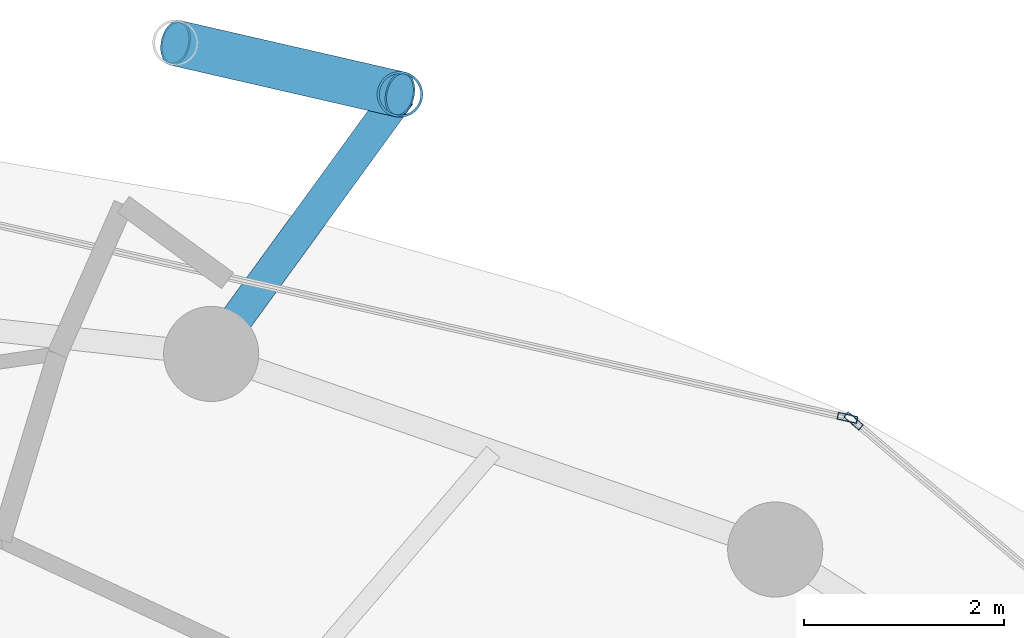
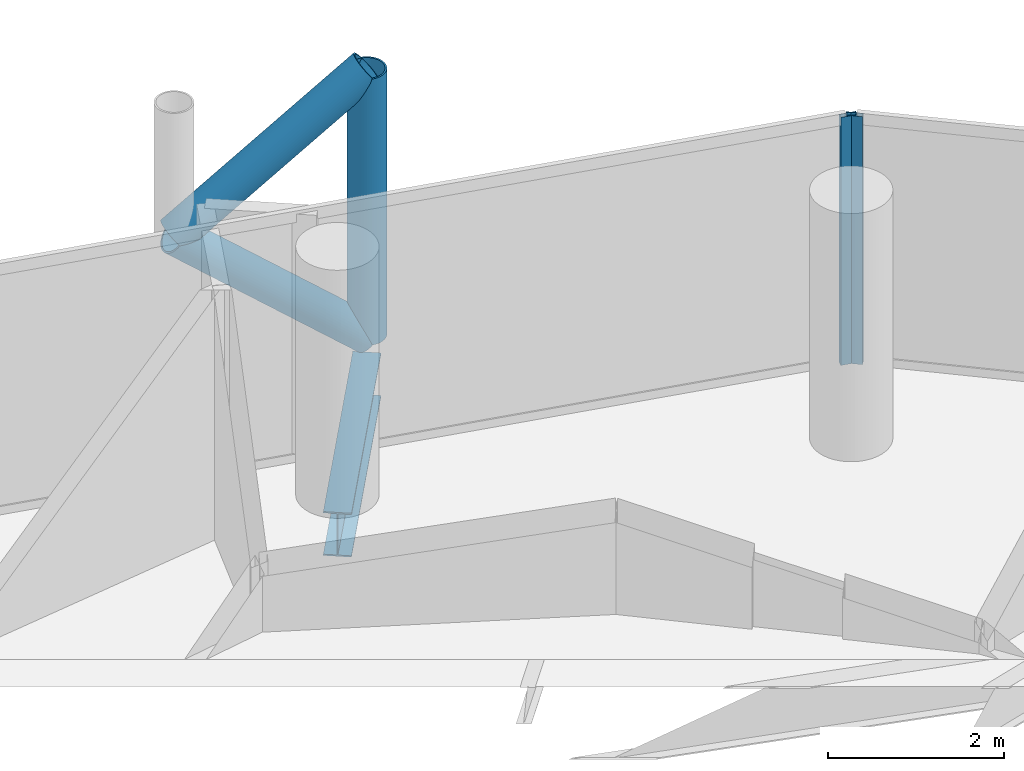
# One storey, part 20 of 27: 5 members, 1 beam, 2 elements without a shape of their own.
"""IFC4 building model written with IfcOpenShell, lengths in metres."""

from ifc_helpers import new_model, si_unit, direction, frame, origin, origin_2d, place, context, subcontext, project, spatial, hollow_rectangle, hollow_circle, i_section, extrude, material, layer, layer_set, material_profile, profile_set, type_object, element, aggregate, save


model = new_model("IFC4")

# Units and contexts
model_context = context("Model", 3, precision=1e-05, world=origin(), true_north=direction((0.0, 1.0)))
body_context = subcontext(model_context, "Body", "Model", "MODEL_VIEW")
ifc_project = project(units=[si_unit("LENGTHUNIT", "METRE"), si_unit("AREAUNIT", "SQUARE_METRE"), si_unit("VOLUMEUNIT", "CUBIC_METRE"), si_unit("PLANEANGLEUNIT", "RADIAN"), si_unit("MASSUNIT", "GRAM", prefix="KILO")], contexts=[model_context])

# Site, building, storey
site_placement = place(None, origin())
site = spatial("IfcSite", under=ifc_project, at=site_placement, CompositionType="ELEMENT")
building_placement = place(site_placement, origin())
building = spatial("IfcBuilding", under=site, at=building_placement, Name="Nuhasar Tower", CompositionType="ELEMENT")
storey_placement = place(building_placement, frame((0.0, 0.0, 158.949951171875)))
storey = spatial("IfcBuildingStorey", under=building, at=storey_placement, Name="L38", CompositionType="ELEMENT", Elevation=158.949951171875)

# Beam
ifc_material_1 = material(Name="Steel S355", Category="steel")
ifc_material_profile_1 = material_profile(ifc_material_1, i_section(OverallWidth=0.323974609375, OverallDepth=0.611083984375, WebThickness=0.0126953125, FlangeThickness=0.01904296875, at=origin_2d()), Name="W24X104")
ifc_profile_set_1 = profile_set([ifc_material_profile_1], Name="Steel S355")
beam_type = type_object("IfcBeamType", Name="BM-TIE-W24X104", PredefinedType="BEAM", material=ifc_profile_set_1)
beam_placement = place(storey_placement, frame((45.04296875, 45.68408203125, -0.555908203125), z_axis=(0.588185286445, 0.808726201387, 0.0), x_axis=(-0.808726201387, 0.588185286445, 0.0)))
element("IfcBeam", 1, at=beam_placement, inside=storey, type_object=beam_type, Name="L38 Exoskeleton Node Tie Beam 03", PredefinedType="BEAM", context=body_context, shape_type="SweptSolid", body=[
    extrude(i_section(OverallWidth=0.323974609375, OverallDepth=0.611083984375, WebThickness=0.0126953125, FlangeThickness=0.01904296875, at=origin_2d()), origin(), (0.0, 0.0, 1.0), 3.204833984375),
])

# Curtain wall, member
ifc_material_2 = material(Name="Aluminium 6063-T6", Category="aluminium")
ifc_layer = layer(ifc_material_2, 0.199951171875)
ifc_layer_set = layer_set([ifc_layer], Name="Aluminium 6063-T6")
curtain_wall_type = type_object("IfcCurtainWallType", Name="CW-Z2-HTL", PredefinedType="NOTDEFINED", material=ifc_layer_set)
curtain_wall_1_placement = place(storey_placement, origin())
curtain_wall_1 = element("IfcCurtainWall", 2, at=curtain_wall_1_placement, inside=storey, type_object=curtain_wall_type, Name="L38 Unitised Curtain Wall 02", PredefinedType="NOTDEFINED")
ifc_material_profile_2 = material_profile(ifc_material_2, hollow_rectangle(XDim=0.070068359375, YDim=0.199951171875, WallThickness=0.0048828125, at=origin_2d()), Name="CWM-3")
ifc_profile_set_2 = profile_set([ifc_material_profile_2], Name="Aluminium 6063-T6")
member_type_1 = type_object("IfcMemberType", Name="CW-MUL-S3", PredefinedType="MULLION", material=ifc_profile_set_2)
member_1_placement = place(storey_placement, frame((51.456787109375, 45.015380859375, 0.0), z_axis=(0.0, 0.0, 1.0), x_axis=(-0.646374438324, -0.763020370292, 0.0)))
member_1 = element("IfcMember", 3, at=member_1_placement, type_object=member_type_1, Name="CW-Z2 mullion 2", PredefinedType="MULLION", context=body_context, shape_type="SweptSolid", body=[
    extrude(hollow_rectangle(XDim=0.070068359375, YDim=0.199951171875, WallThickness=0.0048828125, at=origin_2d()), origin(), (0.0, 0.0, 1.0), 3.449951171875),
])
aggregate(curtain_wall_1, [member_1])

curtain_wall_2_placement = place(storey_placement, origin())
curtain_wall_2 = element("IfcCurtainWall", 4, at=curtain_wall_2_placement, inside=storey, type_object=curtain_wall_type, Name="L38 Unitised Curtain Wall 03", PredefinedType="NOTDEFINED")
member_2_placement = place(storey_placement, frame((51.395751953125, 45.045654296875, 0.0), z_axis=(0.0, 0.0, 1.0), x_axis=(-0.22139729566, -0.975183694221, 0.0)))
member_2 = element("IfcMember", 5, at=member_2_placement, type_object=member_type_1, Name="CW-Z2 mullion 1", PredefinedType="MULLION", context=body_context, shape_type="SweptSolid", body=[
    extrude(hollow_rectangle(XDim=0.070068359375, YDim=0.199951171875, WallThickness=0.0048828125, at=origin_2d()), origin(), (0.0, 0.0, 1.0), 3.449951171875),
])
aggregate(curtain_wall_2, [member_2])

# Members
ifc_material_3 = material(Name="Steel S460", Category="steel")
ifc_material_profile_3 = material_profile(ifc_material_3, hollow_circle(Radius=0.228515625, WallThickness=0.022216796875, at=origin_2d()), Name="HSS457X22.2")
ifc_profile_set_3 = profile_set([ifc_material_profile_3], Name="Steel S460")
member_type_2 = type_object("IfcMemberType", Name="EXO-BRONZE-457", PredefinedType="BRACE", material=ifc_profile_set_3)
member_3_placement = place(storey_placement, frame((46.927978515625, 48.27587890625, 0.0), z_axis=(0.0, 0.0, 1.0), x_axis=(1.0, 0.0, 0.0)))
element("IfcMember", 6, at=member_3_placement, inside=storey, type_object=member_type_2, Name="L38 Exoskeleton Chord Column EC-03A", PredefinedType="BRACE", context=body_context, shape_type="SweptSolid", body=[
    extrude(hollow_circle(Radius=0.228515625, WallThickness=0.022216796875, at=origin_2d()), origin(), (0.0, 0.0, 1.0), 3.699951171875),
])
member_4_placement = place(storey_placement, frame((46.927978515625, 48.27587890625, 0.0), z_axis=(-0.759499549084, 0.174181209885, 0.626754609927), x_axis=(-0.223533724104, -0.974696195842, 0.0)))
element("IfcMember", 7, at=member_4_placement, inside=storey, type_object=member_type_2, Name="L38 Bronze Diagrid Brace W1-03", PredefinedType="BRACE", context=body_context, shape_type="SweptSolid", body=[
    extrude(hollow_circle(Radius=0.228515625, WallThickness=0.022216796875, at=origin_2d()), origin(), (0.0, 0.0, 1.0), 2.951904296875),
])
member_5_placement = place(storey_placement, frame((44.68603515625, 48.7900390625, 1.85009765625), z_axis=(0.759538919781, -0.174190239035, 0.626704388019), x_axis=(0.223533724104, 0.974696195842, 0.0)))
element("IfcMember", 8, at=member_5_placement, inside=storey, type_object=member_type_2, Name="L38 Bronze Diagrid Brace W2-03", PredefinedType="BRACE", context=body_context, shape_type="SweptSolid", body=[
    extrude(hollow_circle(Radius=0.228515625, WallThickness=0.022216796875, at=origin_2d()), origin(), (0.0, 0.0, 1.0), 2.95166015625),
])

save(model, "model.ifc")
